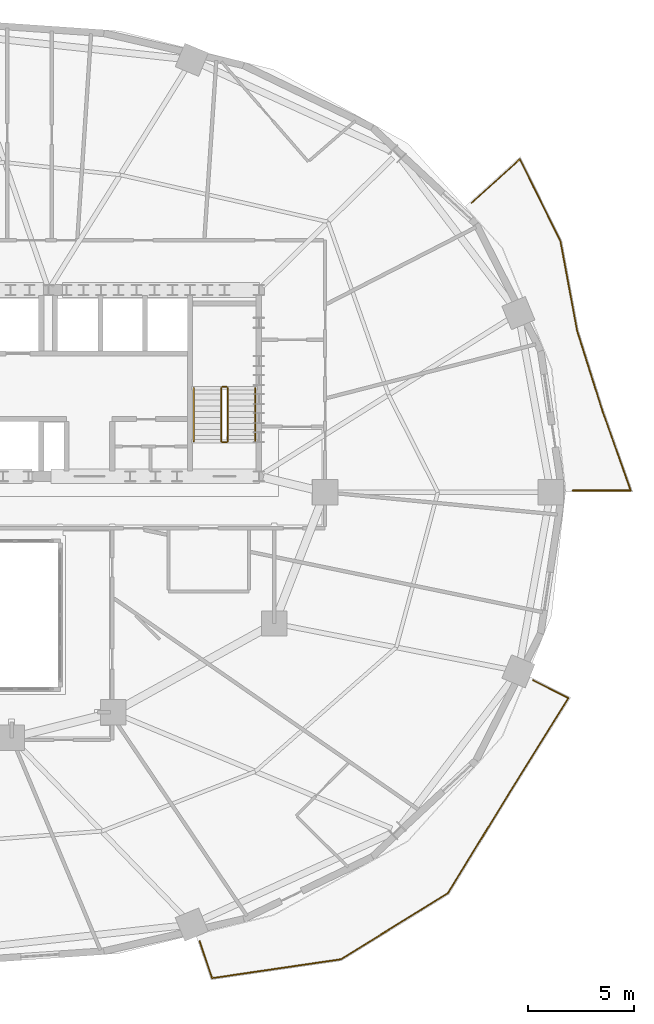
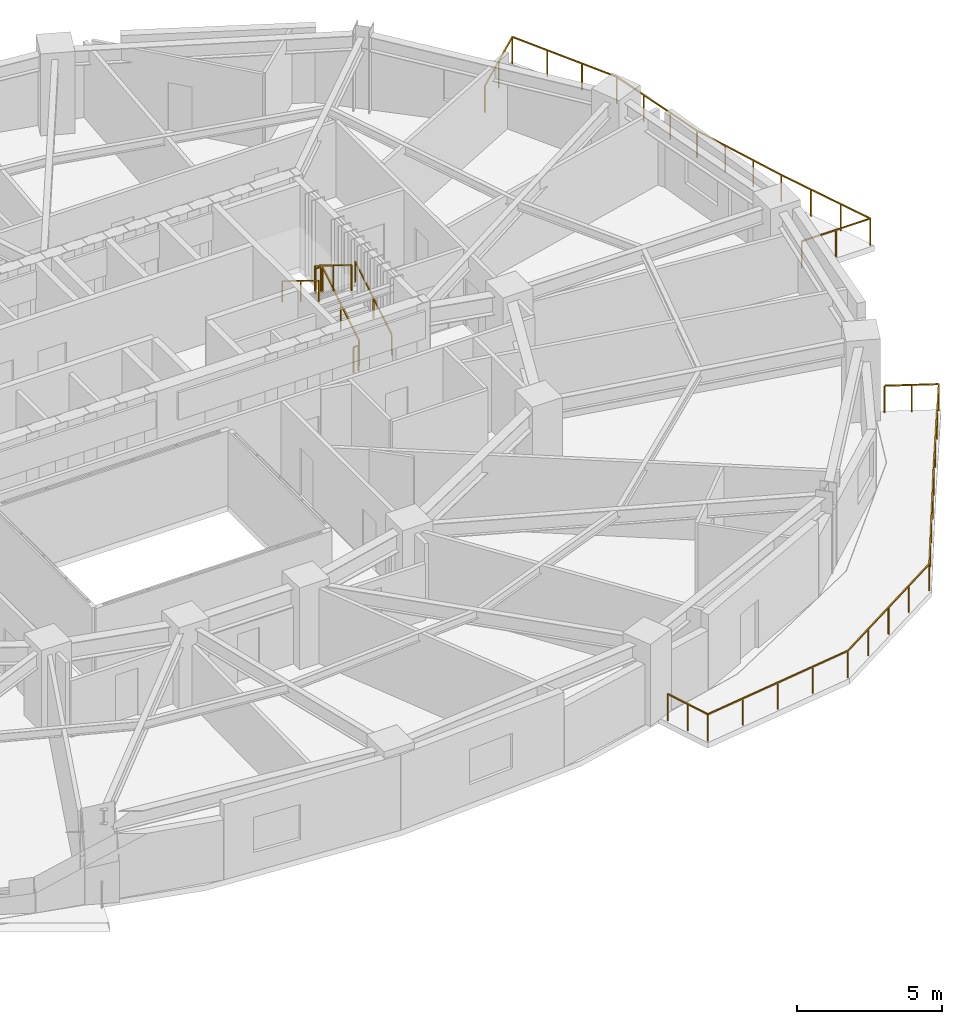
# One storey, part 14 of 14: 8 railings.
"""IFC4 building model written with IfcOpenShell, lengths in metres."""

from ifc_helpers import new_model, si_unit, direction, frame, origin, origin_2d, place, context, subcontext, project, spatial, rectangle, extrude, material, type_object, element, save


model = new_model("IFC4")

# Units and contexts
model_context = context("Model", 3, precision=1e-05, world=origin(), true_north=direction((0.0, 1.0)))
body_context = subcontext(model_context, "Body", "Model", "MODEL_VIEW")
ifc_project = project(units=[si_unit("LENGTHUNIT", "METRE"), si_unit("AREAUNIT", "SQUARE_METRE"), si_unit("VOLUMEUNIT", "CUBIC_METRE"), si_unit("PLANEANGLEUNIT", "RADIAN"), si_unit("MASSUNIT", "GRAM", prefix="KILO")], contexts=[model_context])

# Site, building, storey
site_placement = place(None, origin())
site = spatial("IfcSite", under=ifc_project, at=site_placement, CompositionType="ELEMENT")
building_placement = place(site_placement, origin())
building = spatial("IfcBuilding", under=site, at=building_placement, Name="Haldorwick Loom Tower", CompositionType="ELEMENT")
storey_placement = place(building_placement, frame((0.0, 0.0, 102.5)))
storey = spatial("IfcBuildingStorey", under=building, at=storey_placement, Name="L27", CompositionType="ELEMENT", Elevation=102.5)

# Railings
ifc_material_1 = material(Name="Galvanized Steel CSA G40.21 350W", Category="steel")
railing_type_1 = type_object("IfcRailingType", Name="ARC-RLG-BAL115", PredefinedType="BALUSTRADE", material=ifc_material_1)
railing_1_placement = place(storey_placement, frame((63.02783203125, 17.1220703125, 0.0)))
element("IfcRailing", 1, at=railing_1_placement, inside=storey, type_object=railing_type_1, Name="L27 Outdoor Terrace Guardrail SLB-L27-BAL_SE-1", PredefinedType="BALUSTRADE", context=body_context, shape_type="SweptSolid", body=[
    extrude(rectangle(XDim=0.048095703125, YDim=0.048095703125, at=origin_2d()), frame((0.0, 0.0, 1.1259765625), z_axis=(0.890767264221, -0.454459768288, 0.0), x_axis=(0.454459768288, 0.890767264221, 0.0)), (0.0, 0.0, 1.0), 1.869384765625),
    extrude(rectangle(XDim=0.048095703125, YDim=0.048095703125, at=origin_2d()), frame((1.665283203125, -0.849609375, 1.1259765625), z_axis=(-0.529951380913, -0.848028026582, 0.0), x_axis=(0.848028026582, -0.529951380913, 0.0)), (0.0, 0.0, 1.0), 5.075927734375),
    extrude(rectangle(XDim=0.048095703125, YDim=0.048095703125, at=origin_2d()), frame((-1.024658203125, -5.154052734375, 1.1259765625), z_axis=(-0.554700196225, -0.832050294338, 0.0), x_axis=(0.832050294338, -0.554700196225, 0.0)), (0.0, 0.0, 1.0), 0.0009765625),
    extrude(rectangle(XDim=0.048095703125, YDim=0.048095703125, at=origin_2d()), frame((-1.025146484375, -5.15478515625, 1.1259765625), z_axis=(-0.521847154489, -0.853039006935, 0.0), x_axis=(0.853039006935, -0.521847154489, 0.0)), (0.0, 0.0, 1.0), 5.7431640625),
    extrude(rectangle(XDim=0.048095703125, YDim=0.048095703125, at=origin_2d()), frame((-4.022216796875, -10.053955078125, 1.1259765625), z_axis=(-0.850607263174, -0.525801563173, 0.0), x_axis=(0.525801563173, -0.850607263174, 0.0)), (0.0, 0.0, 1.0), 5.943359375),
    extrude(rectangle(XDim=0.048095703125, YDim=0.048095703125, at=origin_2d()), frame((-9.07763671875, -13.178955078125, 1.1259765625), z_axis=(-0.989471467906, -0.144728069844, 0.0), x_axis=(0.144728069844, -0.989471467906, 0.0)), (0.0, 0.0, 1.0), 6.148681640625),
    extrude(rectangle(XDim=0.048095703125, YDim=0.048095703125, at=origin_2d()), frame((-15.16162109375, -14.06884765625, 1.1259765625), z_axis=(-0.320419545488, 0.947275733284, 0.0), x_axis=(-0.947275733284, -0.320419545488, 0.0)), (0.0, 0.0, 1.0), 1.850830078125),
    extrude(rectangle(XDim=0.0419921875, YDim=0.0419921875, at=origin_2d()), origin(), (0.0, 0.0, 1.0), 1.101806640625),
    extrude(rectangle(XDim=0.0419921875, YDim=0.0419921875, at=origin_2d()), frame((0.83251953125, -0.4248046875, 0.0)), (0.0, 0.0, 1.0), 1.101806640625),
    extrude(rectangle(XDim=0.0419921875, YDim=0.0419921875, at=origin_2d()), frame((1.665283203125, -0.849609375, 0.0)), (0.0, 0.0, 1.0), 1.101806640625),
    extrude(rectangle(XDim=0.0419921875, YDim=0.0419921875, at=origin_2d()), frame((0.7685546875, -2.284423828125, 0.0)), (0.0, 0.0, 1.0), 1.101806640625),
    extrude(rectangle(XDim=0.0419921875, YDim=0.0419921875, at=origin_2d()), frame((-0.1279296875, -3.71923828125, 0.0)), (0.0, 0.0, 1.0), 1.101806640625),
    extrude(rectangle(XDim=0.0419921875, YDim=0.0419921875, at=origin_2d()), frame((-1.024658203125, -5.154052734375, 0.0)), (0.0, 0.0, 1.0), 1.101806640625),
    extrude(rectangle(XDim=0.0419921875, YDim=0.0419921875, at=origin_2d()), frame((-1.7744140625, -6.379638671875, 0.0)), (0.0, 0.0, 1.0), 1.101806640625),
    extrude(rectangle(XDim=0.0419921875, YDim=0.0419921875, at=origin_2d()), frame((-2.523681640625, -7.6044921875, 0.0)), (0.0, 0.0, 1.0), 1.101806640625),
    extrude(rectangle(XDim=0.0419921875, YDim=0.0419921875, at=origin_2d()), frame((-3.27294921875, -8.8291015625, 0.0)), (0.0, 0.0, 1.0), 1.101806640625),
    extrude(rectangle(XDim=0.0419921875, YDim=0.0419921875, at=origin_2d()), frame((-4.022216796875, -10.053955078125, 0.0)), (0.0, 0.0, 1.0), 1.101806640625),
    extrude(rectangle(XDim=0.0419921875, YDim=0.0419921875, at=origin_2d()), frame((-5.2861328125, -10.835205078125, 0.0)), (0.0, 0.0, 1.0), 1.101806640625),
    extrude(rectangle(XDim=0.0419921875, YDim=0.0419921875, at=origin_2d()), frame((-6.5498046875, -11.616455078125, 0.0)), (0.0, 0.0, 1.0), 1.101806640625),
    extrude(rectangle(XDim=0.0419921875, YDim=0.0419921875, at=origin_2d()), frame((-7.813720703125, -12.397705078125, 0.0)), (0.0, 0.0, 1.0), 1.101806640625),
    extrude(rectangle(XDim=0.0419921875, YDim=0.0419921875, at=origin_2d()), frame((-9.07763671875, -13.178955078125, 0.0)), (0.0, 0.0, 1.0), 1.101806640625),
    extrude(rectangle(XDim=0.0419921875, YDim=0.0419921875, at=origin_2d()), frame((-10.5986328125, -13.4013671875, 0.0)), (0.0, 0.0, 1.0), 1.101806640625),
    extrude(rectangle(XDim=0.0419921875, YDim=0.0419921875, at=origin_2d()), frame((-12.11962890625, -13.6240234375, 0.0)), (0.0, 0.0, 1.0), 1.101806640625),
    extrude(rectangle(XDim=0.0419921875, YDim=0.0419921875, at=origin_2d()), frame((-13.640625, -13.846435546875, 0.0)), (0.0, 0.0, 1.0), 1.101806640625),
    extrude(rectangle(XDim=0.0419921875, YDim=0.0419921875, at=origin_2d()), frame((-15.16162109375, -14.06884765625, 0.0)), (0.0, 0.0, 1.0), 1.101806640625),
    extrude(rectangle(XDim=0.0419921875, YDim=0.0419921875, at=origin_2d()), frame((-15.4580078125, -13.1923828125, 0.0)), (0.0, 0.0, 1.0), 1.101806640625),
    extrude(rectangle(XDim=0.0419921875, YDim=0.0419921875, at=origin_2d()), frame((-15.754638671875, -12.315673828125, 0.0)), (0.0, 0.0, 1.0), 1.101806640625),
])
railing_2_placement = place(storey_placement, frame((60.114990234375, 39.657470703125, 0.0)))
element("IfcRailing", 2, at=railing_2_placement, inside=storey, type_object=railing_type_1, Name="L27 Outdoor Terrace Guardrail SLB-L27-BAL_ENE-1", PredefinedType="BALUSTRADE", context=body_context, shape_type="SweptSolid", body=[
    extrude(rectangle(XDim=0.048095703125, YDim=0.048095703125, at=origin_2d()), frame((0.0, 0.0, 1.1259765625), z_axis=(0.74150948075, 0.670942389447, 0.0), x_axis=(-0.670942389447, 0.74150948075, 0.0)), (0.0, 0.0, 1.0), 3.0791015625),
    extrude(rectangle(XDim=0.048095703125, YDim=0.048095703125, at=origin_2d()), frame((2.283203125, 2.06591796875, 1.1259765625), z_axis=(0.442955089551, -0.896543801853, 0.0), x_axis=(0.896543801853, 0.442955089551, 0.0)), (0.0, 0.0, 1.0), 4.33935546875),
    extrude(rectangle(XDim=0.048095703125, YDim=0.048095703125, at=origin_2d()), frame((4.205322265625, -1.824462890625, 1.1259765625), z_axis=(0.182501929729, -0.983205495126, 0.0), x_axis=(0.983205495126, 0.182501929729, 0.0)), (0.0, 0.0, 1.0), 4.258056640625),
    extrude(rectangle(XDim=0.048095703125, YDim=0.048095703125, at=origin_2d()), frame((4.982421875, -6.010986328125, 1.1259765625), z_axis=(0.224859506699, -0.974391195695, 0.0), x_axis=(0.974391195695, 0.224859506699, 0.0)), (0.0, 0.0, 1.0), 0.009765625),
    extrude(rectangle(XDim=0.048095703125, YDim=0.048095703125, at=origin_2d()), frame((4.984619140625, -6.0205078125, 1.1259765625), z_axis=(0.300765464188, -0.953698136494, 0.0), x_axis=(0.953698136494, 0.300765464188, 0.0)), (0.0, 0.0, 1.0), 3.927978515625),
    extrude(rectangle(XDim=0.048095703125, YDim=0.048095703125, at=origin_2d()), frame((6.166015625, -9.7666015625, 1.1259765625), z_axis=(0.341743063087, -0.939793423488, 0.0), x_axis=(0.939793423488, 0.341743063087, 0.0)), (0.0, 0.0, 1.0), 0.0029296875),
    extrude(rectangle(XDim=0.048095703125, YDim=0.048095703125, at=origin_2d()), frame((6.1669921875, -9.769287109375, 1.1259765625), z_axis=(0.334314631432, -0.942461525586, 0.0), x_axis=(0.942461525586, 0.334314631432, 0.0)), (0.0, 0.0, 1.0), 4.04052734375),
    extrude(rectangle(XDim=0.048095703125, YDim=0.048095703125, at=origin_2d()), frame((7.517822265625, -13.577392578125, 1.1259765625), z_axis=(-1.0, 0.0, 0.0), x_axis=(0.0, -1.0, 0.0)), (0.0, 0.0, 1.0), 2.73193359375),
    extrude(rectangle(XDim=0.0419921875, YDim=0.0419921875, at=origin_2d()), origin(), (0.0, 0.0, 1.0), 1.101806640625),
    extrude(rectangle(XDim=0.0419921875, YDim=0.0419921875, at=origin_2d()), frame((1.1416015625, 1.032958984375, 0.0)), (0.0, 0.0, 1.0), 1.101806640625),
    extrude(rectangle(XDim=0.0419921875, YDim=0.0419921875, at=origin_2d()), frame((2.283203125, 2.06591796875, 0.0)), (0.0, 0.0, 1.0), 1.101806640625),
    extrude(rectangle(XDim=0.0419921875, YDim=0.0419921875, at=origin_2d()), frame((2.923828125, 0.76904296875, 0.0)), (0.0, 0.0, 1.0), 1.101806640625),
    extrude(rectangle(XDim=0.0419921875, YDim=0.0419921875, at=origin_2d()), frame((3.564697265625, -0.527587890625, 0.0)), (0.0, 0.0, 1.0), 1.101806640625),
    extrude(rectangle(XDim=0.0419921875, YDim=0.0419921875, at=origin_2d()), frame((4.205322265625, -1.824462890625, 0.0)), (0.0, 0.0, 1.0), 1.101806640625),
    extrude(rectangle(XDim=0.0419921875, YDim=0.0419921875, at=origin_2d()), frame((4.46435546875, -3.219970703125, 0.0)), (0.0, 0.0, 1.0), 1.101806640625),
    extrude(rectangle(XDim=0.0419921875, YDim=0.0419921875, at=origin_2d()), frame((4.723388671875, -4.615478515625, 0.0)), (0.0, 0.0, 1.0), 1.101806640625),
    extrude(rectangle(XDim=0.0419921875, YDim=0.0419921875, at=origin_2d()), frame((4.982421875, -6.010986328125, 0.0)), (0.0, 0.0, 1.0), 1.101806640625),
    extrude(rectangle(XDim=0.0419921875, YDim=0.0419921875, at=origin_2d()), frame((5.37841796875, -7.269287109375, 0.0)), (0.0, 0.0, 1.0), 1.101806640625),
    extrude(rectangle(XDim=0.0419921875, YDim=0.0419921875, at=origin_2d()), frame((5.772216796875, -8.517822265625, 0.0)), (0.0, 0.0, 1.0), 1.101806640625),
    extrude(rectangle(XDim=0.0419921875, YDim=0.0419921875, at=origin_2d()), frame((6.166015625, -9.7666015625, 0.0)), (0.0, 0.0, 1.0), 1.101806640625),
    extrude(rectangle(XDim=0.0419921875, YDim=0.0419921875, at=origin_2d()), frame((6.6171875, -11.03857421875, 0.0)), (0.0, 0.0, 1.0), 1.101806640625),
    extrude(rectangle(XDim=0.0419921875, YDim=0.0419921875, at=origin_2d()), frame((7.067626953125, -12.30810546875, 0.0)), (0.0, 0.0, 1.0), 1.101806640625),
    extrude(rectangle(XDim=0.0419921875, YDim=0.0419921875, at=origin_2d()), frame((7.517822265625, -13.577392578125, 0.0)), (0.0, 0.0, 1.0), 1.101806640625),
    extrude(rectangle(XDim=0.0419921875, YDim=0.0419921875, at=origin_2d()), frame((6.15185546875, -13.577392578125, 0.0)), (0.0, 0.0, 1.0), 1.101806640625),
    extrude(rectangle(XDim=0.0419921875, YDim=0.0419921875, at=origin_2d()), frame((4.785888671875, -13.577392578125, 0.0)), (0.0, 0.0, 1.0), 1.101806640625),
])
ifc_material_2 = material(Name="Steel CSA G40.21 350W", Category="steel")
railing_type_2 = type_object("IfcRailingType", Name="ARC-RLG-GUARD112", PredefinedType="GUARDRAIL", material=ifc_material_2)
railing_3_placement = place(storey_placement, frame((48.60009765625, 28.39990234375, 0.172607421875)))
element("IfcRailing", 3, at=railing_3_placement, inside=storey, type_object=railing_type_2, Name="L27 ST-02 stair guard 1", PredefinedType="GUARDRAIL", context=body_context, shape_type="SweptSolid", body=[
    extrude(rectangle(XDim=0.048095703125, YDim=0.048095703125, at=origin_2d()), frame((0.0, 0.0, 1.076171875), z_axis=(0.0, 0.851400495292, 0.524516154772), x_axis=(-1.0, 0.0, 0.0)), (0.0, 0.0, 1.0), 2.9599609375),
    extrude(rectangle(XDim=0.0419921875, YDim=0.0419921875, at=origin_2d()), origin(), (0.0, 0.0, 1.0), 1.052001953125),
    extrude(rectangle(XDim=0.0419921875, YDim=0.0419921875, at=origin_2d()), frame((0.0, 1.260009765625, 0.7763671875)), (0.0, 0.0, 1.0), 1.052001953125),
    extrude(rectangle(XDim=0.0419921875, YDim=0.0419921875, at=origin_2d()), frame((0.0, 2.52001953125, 1.552490234375)), (0.0, 0.0, 1.0), 1.052001953125),
])
railing_4_placement = place(storey_placement, frame((48.550048828125, 30.969970703125, 1.72509765625)))
element("IfcRailing", 4, at=railing_4_placement, inside=storey, type_object=railing_type_2, Name="L27 ST-02 stair guard 2", PredefinedType="GUARDRAIL", context=body_context, shape_type="SweptSolid", body=[
    extrude(rectangle(XDim=0.048095703125, YDim=0.048095703125, at=origin_2d()), frame((0.0, 0.0, 1.076171875), z_axis=(-1.0, 0.0, 0.0), x_axis=(0.0, -1.0, 0.0)), (0.0, 0.0, 1.0), 0.199951171875),
    extrude(rectangle(XDim=0.0419921875, YDim=0.0419921875, at=origin_2d()), origin(), (0.0, 0.0, 1.0), 1.052001953125),
    extrude(rectangle(XDim=0.0419921875, YDim=0.0419921875, at=origin_2d()), frame((-0.199951171875, 0.0, 0.0)), (0.0, 0.0, 1.0), 1.052001953125),
])
railing_5_placement = place(storey_placement, frame((48.300048828125, 30.919921875, 1.8974609375)))
element("IfcRailing", 5, at=railing_5_placement, inside=storey, type_object=railing_type_2, Name="L27 ST-02 stair guard 3", PredefinedType="GUARDRAIL", context=body_context, shape_type="SweptSolid", body=[
    extrude(rectangle(XDim=0.048095703125, YDim=0.048095703125, at=origin_2d()), frame((0.0, 0.0, 1.076171875), z_axis=(0.0, -0.851400495292, 0.524516154772), x_axis=(1.0, 0.0, 0.0)), (0.0, 0.0, 1.0), 2.9599609375),
    extrude(rectangle(XDim=0.0419921875, YDim=0.0419921875, at=origin_2d()), origin(), (0.0, 0.0, 1.0), 1.052001953125),
    extrude(rectangle(XDim=0.0419921875, YDim=0.0419921875, at=origin_2d()), frame((0.0, -1.260009765625, 0.7763671875)), (0.0, 0.0, 1.0), 1.052001953125),
    extrude(rectangle(XDim=0.0419921875, YDim=0.0419921875, at=origin_2d()), frame((0.0, -2.52001953125, 1.552490234375)), (0.0, 0.0, 1.0), 1.052001953125),
])
railing_6_placement = place(storey_placement, frame((48.550048828125, 28.35009765625, 0.0)))
element("IfcRailing", 6, at=railing_6_placement, inside=storey, type_object=railing_type_2, Name="L27 ST-02 stair guard 4", PredefinedType="GUARDRAIL", context=body_context, shape_type="SweptSolid", body=[
    extrude(rectangle(XDim=0.048095703125, YDim=0.048095703125, at=origin_2d()), frame((0.0, 0.0, 1.076171875), z_axis=(-1.0, 0.0, 0.0), x_axis=(0.0, -1.0, 0.0)), (0.0, 0.0, 1.0), 0.199951171875),
    extrude(rectangle(XDim=0.0419921875, YDim=0.0419921875, at=origin_2d()), origin(), (0.0, 0.0, 1.0), 1.052001953125),
    extrude(rectangle(XDim=0.0419921875, YDim=0.0419921875, at=origin_2d()), frame((-0.199951171875, 0.0, 0.0)), (0.0, 0.0, 1.0), 1.052001953125),
])
railing_type_3 = type_object("IfcRailingType", Name="ARC-RLG-HAND092", PredefinedType="HANDRAIL", material=ifc_material_2)
railing_7_placement = place(storey_placement, frame((49.89990234375, 28.39990234375, 0.172607421875)))
element("IfcRailing", 7, at=railing_7_placement, inside=storey, type_object=railing_type_3, Name="L27 ST-02 stair handrail 1", PredefinedType="HANDRAIL", context=body_context, shape_type="SweptSolid", body=[
    extrude(rectangle(XDim=0.048095703125, YDim=0.048095703125, at=origin_2d()), frame((0.0, 0.0, 0.8759765625), z_axis=(0.0, 0.851400495292, 0.524516154772), x_axis=(-1.0, 0.0, 0.0)), (0.0, 0.0, 1.0), 2.9599609375),
    extrude(rectangle(XDim=0.0419921875, YDim=0.0419921875, at=origin_2d()), origin(), (0.0, 0.0, 1.0), 0.851806640625),
    extrude(rectangle(XDim=0.0419921875, YDim=0.0419921875, at=origin_2d()), frame((0.0, 1.260009765625, 0.7763671875)), (0.0, 0.0, 1.0), 0.851806640625),
    extrude(rectangle(XDim=0.0419921875, YDim=0.0419921875, at=origin_2d()), frame((0.0, 2.52001953125, 1.552490234375)), (0.0, 0.0, 1.0), 0.851806640625),
])
railing_8_placement = place(storey_placement, frame((47.0, 30.919921875, 1.8974609375)))
element("IfcRailing", 8, at=railing_8_placement, inside=storey, type_object=railing_type_3, Name="L27 ST-02 stair handrail 2", PredefinedType="HANDRAIL", context=body_context, shape_type="SweptSolid", body=[
    extrude(rectangle(XDim=0.048095703125, YDim=0.048095703125, at=origin_2d()), frame((0.0, 0.0, 0.8759765625), z_axis=(0.0, -0.851400495292, 0.524516154772), x_axis=(1.0, 0.0, 0.0)), (0.0, 0.0, 1.0), 2.9599609375),
    extrude(rectangle(XDim=0.0419921875, YDim=0.0419921875, at=origin_2d()), origin(), (0.0, 0.0, 1.0), 0.851806640625),
    extrude(rectangle(XDim=0.0419921875, YDim=0.0419921875, at=origin_2d()), frame((0.0, -1.260009765625, 0.7763671875)), (0.0, 0.0, 1.0), 0.851806640625),
    extrude(rectangle(XDim=0.0419921875, YDim=0.0419921875, at=origin_2d()), frame((0.0, -2.52001953125, 1.552490234375)), (0.0, 0.0, 1.0), 0.851806640625),
])

save(model, "model.ifc")
